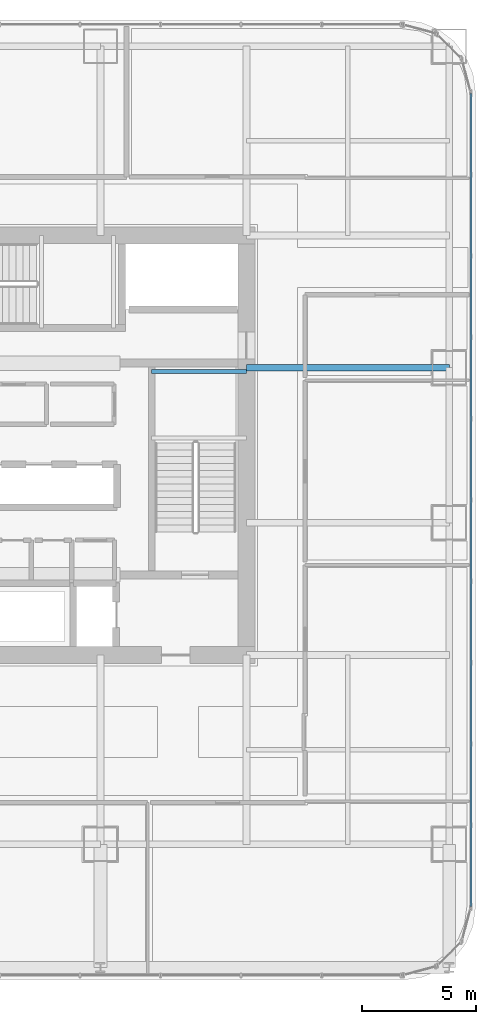
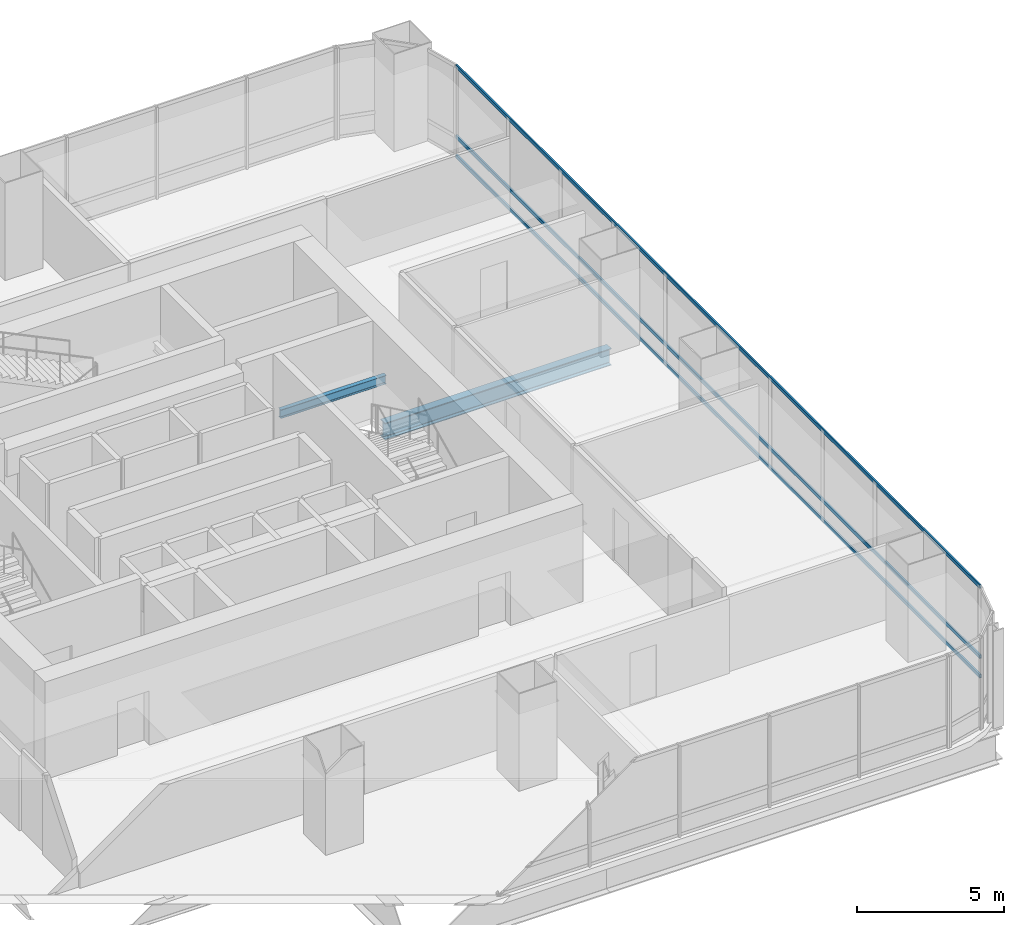
# One storey, part 16 of 35: 3 members, 2 beams, 1 element without a shape of its own.
"""IFC4 building model written with IfcOpenShell, lengths in metres."""

from ifc_helpers import new_model, si_unit, direction, frame, origin, origin_2d, place, context, subcontext, project, spatial, hollow_rectangle, i_section, extrude, material, material_profile, profile_set, type_object, element, aggregate, save


model = new_model("IFC4")

# Units and contexts
model_context = context("Model", 3, precision=1e-05, world=origin(), true_north=direction((0.0, 1.0)))
body_context = subcontext(model_context, "Body", "Model", "MODEL_VIEW")
ifc_project = project(units=[si_unit("LENGTHUNIT", "METRE"), si_unit("AREAUNIT", "SQUARE_METRE"), si_unit("VOLUMEUNIT", "CUBIC_METRE"), si_unit("PLANEANGLEUNIT", "RADIAN"), si_unit("MASSUNIT", "GRAM", prefix="KILO")], contexts=[model_context])

# Site, building, storey
site_placement = place(None, origin())
site = spatial("IfcSite", under=ifc_project, at=site_placement, CompositionType="ELEMENT")
building_placement = place(site_placement, origin())
building = spatial("IfcBuilding", under=site, at=building_placement, Name="Punatoya Terracotta Tower", CompositionType="ELEMENT")
storey_placement = place(building_placement, frame((0.0, 0.0, 52.5)))
storey = spatial("IfcBuildingStorey", under=building, at=storey_placement, Name="L11", CompositionType="ELEMENT", Elevation=52.5)

# Beams
ifc_material_1 = material(Name="Steel S355", Category="steel")
ifc_material_profile_1 = material_profile(ifc_material_1, i_section(OverallWidth=0.300048828125, OverallDepth=0.699951171875, WebThickness=0.01708984375, FlangeThickness=0.031982421875, FilletRadius=0.01806640625, at=origin_2d()))
ifc_profile_set_1 = profile_set([ifc_material_profile_1], Name="Steel S355")
beam_type_1 = type_object("IfcBeamType", Name="BM-PRI-700", PredefinedType="BEAM", material=ifc_profile_set_1)
beam_1_placement = place(storey_placement, frame((10.199951171875, 3.39990234375, -0.590087890625), z_axis=(1.0, 0.0, 0.0), x_axis=(0.0, 1.0, 0.0)))
element("IfcBeam", 1, at=beam_1_placement, inside=storey, type_object=beam_type_1, Name="BM-L11-PR-EE", PredefinedType="BEAM", context=body_context, shape_type="SweptSolid", body=[
    extrude(i_section(OverallWidth=0.300048828125, OverallDepth=0.699951171875, WebThickness=0.01708984375, FlangeThickness=0.031982421875, FilletRadius=0.01806640625, at=origin_2d()), origin(), (0.0, 0.0, 1.0), 8.900146484375),
])
ifc_material_profile_2 = material_profile(ifc_material_1, i_section(OverallWidth=0.169921875, OverallDepth=0.360107421875, WebThickness=0.008056640625, FlangeThickness=0.0126953125, FilletRadius=0.01806640625, at=origin_2d()))
ifc_profile_set_2 = profile_set([ifc_material_profile_2], Name="Steel S355")
beam_type_2 = type_object("IfcBeamType", Name="BM-SEC-360", PredefinedType="JOIST", material=ifc_profile_set_2)
beam_2_placement = place(storey_placement, frame((6.050048828125, 3.22998046875, 1.64501953125), z_axis=(1.0, 0.0, 0.0), x_axis=(0.0, 1.0, 0.0)))
element("IfcBeam", 2, at=beam_2_placement, inside=storey, type_object=beam_type_2, Name="BM-L11-ST-2-LD1B", PredefinedType="JOIST", context=body_context, shape_type="SweptSolid", body=[
    extrude(i_section(OverallWidth=0.169921875, OverallDepth=0.360107421875, WebThickness=0.008056640625, FlangeThickness=0.0126953125, FilletRadius=0.01806640625, at=origin_2d()), origin(), (0.0, 0.0, 1.0), 4.14990234375),
])

# Curtain wall, members
ifc_material_2 = material(Name="Aluminium 6063-T6 + Double Low-E Glass", Category="aluminium")
curtain_wall_type = type_object("IfcCurtainWallType", Name="CW-M1", PredefinedType="NOTDEFINED", material=ifc_material_2)
curtain_wall_placement = place(storey_placement, origin())
curtain_wall = element("IfcCurtainWall", 3, at=curtain_wall_placement, inside=storey, type_object=curtain_wall_type, Name="L11 Curtain Wall CW-L11-E05-1", PredefinedType="NOTDEFINED")
ifc_material_3 = material(Name="Aluminium 6063-T6", Category="aluminium")
ifc_material_profile_3 = material_profile(ifc_material_3, hollow_rectangle(XDim=0.068115234375, YDim=0.14990234375, WallThickness=0.00390625, at=origin_2d()))
ifc_profile_set_3 = profile_set([ifc_material_profile_3], Name="Aluminium 6063-T6")
member_type = type_object("IfcMemberType", Name="CW-TRN-TYP", PredefinedType="USERDEFINED", material=ifc_profile_set_3)
member_1_placement = place(storey_placement, frame((20.050048828125, -20.23681640625, 0.0400390625), z_axis=(0.0, 1.0, 0.0), x_axis=(-1.0, 0.0, 0.0)))
member_1 = element("IfcMember", 4, at=member_1_placement, type_object=member_type, Name="CW-L11-E05-1 Transom 1", ObjectType="TRANSOM", PredefinedType="USERDEFINED", context=body_context, shape_type="SweptSolid", body=[
    extrude(hollow_rectangle(XDim=0.068115234375, YDim=0.14990234375, WallThickness=0.00390625, at=origin_2d()), origin(), (0.0, 0.0, 1.0), 35.673828125),
])
member_2_placement = place(storey_placement, frame((20.050048828125, -20.23681640625, 0.85009765625), z_axis=(0.0, 1.0, 0.0), x_axis=(-1.0, 0.0, 0.0)))
member_2 = element("IfcMember", 5, at=member_2_placement, type_object=member_type, Name="CW-L11-E05-1 Transom 2", ObjectType="TRANSOM", PredefinedType="USERDEFINED", context=body_context, shape_type="SweptSolid", body=[
    extrude(hollow_rectangle(XDim=0.068115234375, YDim=0.14990234375, WallThickness=0.00390625, at=origin_2d()), origin(), (0.0, 0.0, 1.0), 35.673828125),
])
member_3_placement = place(storey_placement, frame((20.050048828125, -20.23681640625, 3.77001953125), z_axis=(0.0, 1.0, 0.0), x_axis=(-1.0, 0.0, 0.0)))
member_3 = element("IfcMember", 6, at=member_3_placement, type_object=member_type, Name="CW-L11-E05-1 Transom 3", ObjectType="TRANSOM", PredefinedType="USERDEFINED", context=body_context, shape_type="SweptSolid", body=[
    extrude(hollow_rectangle(XDim=0.068115234375, YDim=0.14990234375, WallThickness=0.00390625, at=origin_2d()), origin(), (0.0, 0.0, 1.0), 35.673828125),
])
aggregate(curtain_wall, [member_1, member_2, member_3])

save(model, "model.ifc")
